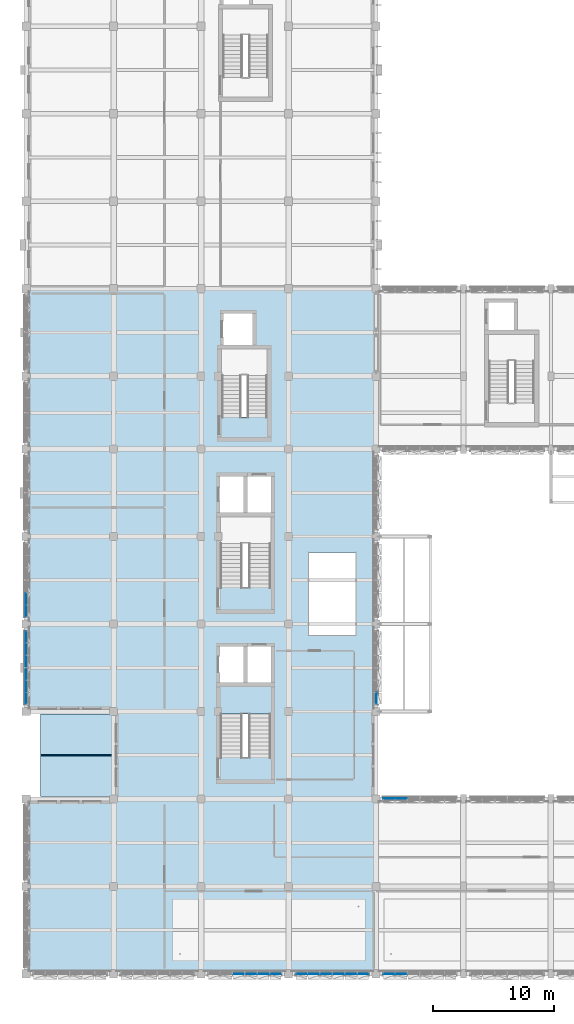
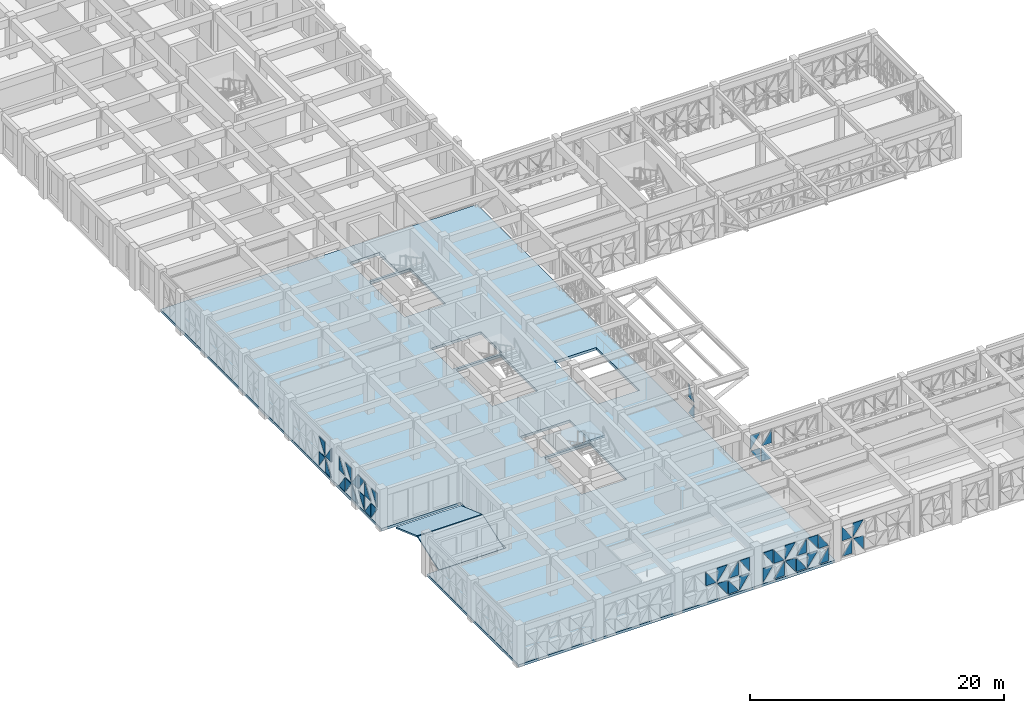
# One storey, part 29 of 88: 45 plates, 4 slabs, 8 elements without a shape of their own.
"""IFC4 building model written with IfcOpenShell, lengths in metres."""

from ifc_helpers import new_model, si_unit, direction, frame, origin, place, context, subcontext, project, spatial, polyline, outline, extrude, material, layer, layer_set, type_object, element, aggregate, save


model = new_model("IFC4")

# Units and contexts
model_context = context("Model", 3, precision=1e-05, world=origin(), true_north=direction((0.0, 1.0)))
body_context = subcontext(model_context, "Body", "Model", "MODEL_VIEW")
ifc_project = project(units=[si_unit("LENGTHUNIT", "METRE"), si_unit("AREAUNIT", "SQUARE_METRE"), si_unit("VOLUMEUNIT", "CUBIC_METRE"), si_unit("PLANEANGLEUNIT", "RADIAN"), si_unit("MASSUNIT", "GRAM", prefix="KILO")], contexts=[model_context])

# Site, building, storey
site_placement = place(None, origin())
site = spatial("IfcSite", under=ifc_project, at=site_placement, CompositionType="ELEMENT")
building_placement = place(site_placement, origin())
building = spatial("IfcBuilding", under=site, at=building_placement, Name="Alvorim Cloister Faculty of Sciences", CompositionType="ELEMENT")
storey_placement = place(building_placement, frame((0.0, 0.0, 4.5)))
storey = spatial("IfcBuildingStorey", under=building, at=storey_placement, Name="L01", CompositionType="ELEMENT", Elevation=4.5)

# Curtain wall, plates
ifc_material_1 = material(Name="Aluminium and Low-E Glass Curtain Wall", Category="aluminium")
curtain_wall_type = type_object("IfcCurtainWallType", Name="CW-TRI-6120x3170", PredefinedType="USERDEFINED", material=ifc_material_1)
curtain_wall_1_placement = place(storey_placement, origin())
curtain_wall_1 = element("IfcCurtainWall", 1, at=curtain_wall_1_placement, inside=storey, type_object=curtain_wall_type, Name="L01 Diagonal Cassette Curtain Wall CW-0007", ObjectType="UNITISED CURTAIN WALL", PredefinedType="USERDEFINED")
ifc_material_2 = material(Name="Double Low-E Laminated Glass", Category="glass")
ifc_layer_1 = layer(ifc_material_2, 0.0400390625)
ifc_layer_set_1 = layer_set([ifc_layer_1], Name="Double Low-E Laminated Glass")
plate_type = type_object("IfcPlateType", Name="PN-GLZ-40", PredefinedType="CURTAIN_PANEL", material=ifc_layer_set_1)
plate_1_placement = place(storey_placement, frame((-0.02490234375, 22.215087890625, 0.159912109375), z_axis=(0.0, 0.0, 1.0), x_axis=(0.0, 1.0, 0.0)))
plate_1 = element("IfcPlate", 2, at=plate_1_placement, type_object=plate_type, Name="Diagonal Glazed Triangle TRI-TR", PredefinedType="CURTAIN_PANEL", context=body_context, shape_type="SweptSolid", body=[
    extrude(outline(polyline([(0.907470703125, 0.001953125), (0.907470703125, 1.344970703125), (0.001953125, 1.344970703125), (0.907470703125, 0.001953125)])), frame((0.0, 0.02490234375, 0.0), z_axis=(0.0, -1.0, 0.0), x_axis=(1.0, 0.0, 0.0)), (0.0, 0.0, 1.0), 0.050048828125),
])
plate_2_placement = place(storey_placement, frame((-0.02490234375, 22.215087890625, 1.6650390625), z_axis=(0.0, 0.0, 1.0), x_axis=(0.0, 1.0, 0.0)))
plate_2 = element("IfcPlate", 3, at=plate_2_placement, type_object=plate_type, Name="Diagonal Glazed Triangle TRI-TL", PredefinedType="CURTAIN_PANEL", context=body_context, shape_type="SweptSolid", body=[
    extrude(outline(polyline([(0.905517578125, 1.344970703125), (0.0, 1.344970703125), (0.0, 0.001953125), (0.905517578125, 1.344970703125)])), frame((0.0, 0.02490234375, 0.0), z_axis=(0.0, -1.0, 0.0), x_axis=(1.0, 0.0, 0.0)), (0.0, 0.0, 1.0), 0.050048828125),
])
plate_3_placement = place(storey_placement, frame((-0.02490234375, 23.197509765625, 0.159912109375), z_axis=(0.0, 0.0, 1.0), x_axis=(0.0, 1.0, 0.0)))
plate_3 = element("IfcPlate", 4, at=plate_3_placement, type_object=plate_type, Name="Diagonal Glazed Triangle TRI-BL", PredefinedType="CURTAIN_PANEL", context=body_context, shape_type="SweptSolid", body=[
    extrude(outline(polyline([(0.0, 0.0), (0.943115234375, 0.0), (0.0, 1.343017578125), (0.0, 0.0)])), frame((0.0, 0.02490234375, 0.0), z_axis=(0.0, -1.0, 0.0), x_axis=(1.0, 0.0, 0.0)), (0.0, 0.0, 1.0), 0.050048828125),
])
plate_4_placement = place(storey_placement, frame((-0.02490234375, 23.197509765625, 1.6650390625), z_axis=(0.0, 0.0, 1.0), x_axis=(0.0, 1.0, 0.0)))
plate_4 = element("IfcPlate", 5, at=plate_4_placement, type_object=plate_type, Name="Diagonal Glazed Triangle TRI-BR", PredefinedType="CURTAIN_PANEL", context=body_context, shape_type="SweptSolid", body=[
    extrude(outline(polyline([(0.001953125, 0.0), (0.945068359375, 0.0), (0.945068359375, 1.343017578125), (0.001953125, 0.0)])), frame((0.0, 0.02490234375, 0.0), z_axis=(0.0, -1.0, 0.0), x_axis=(1.0, 0.0, 0.0)), (0.0, 0.0, 1.0), 0.050048828125),
])
plate_5_placement = place(storey_placement, frame((-0.02490234375, 24.217529296875, 0.159912109375), z_axis=(0.0, 0.0, 1.0), x_axis=(0.0, 1.0, 0.0)))
plate_5 = element("IfcPlate", 6, at=plate_5_placement, type_object=plate_type, Name="Diagonal Glazed Triangle TRI-TL", PredefinedType="CURTAIN_PANEL", context=body_context, shape_type="SweptSolid", body=[
    extrude(outline(polyline([(0.943115234375, 1.344970703125), (0.0, 1.344970703125), (0.0, 0.001953125), (0.943115234375, 1.344970703125)])), frame((0.0, 0.02490234375, 0.0), z_axis=(0.0, -1.0, 0.0), x_axis=(1.0, 0.0, 0.0)), (0.0, 0.0, 1.0), 0.050048828125),
])
plate_6_placement = place(storey_placement, frame((-0.02490234375, 24.217529296875, 1.6650390625), z_axis=(0.0, 0.0, 1.0), x_axis=(0.0, 1.0, 0.0)))
plate_6 = element("IfcPlate", 7, at=plate_6_placement, type_object=plate_type, Name="Diagonal Glazed Triangle TRI-TR", PredefinedType="CURTAIN_PANEL", context=body_context, shape_type="SweptSolid", body=[
    extrude(outline(polyline([(0.945068359375, 0.001953125), (0.945068359375, 1.344970703125), (0.001953125, 1.344970703125), (0.945068359375, 0.001953125)])), frame((0.0, 0.02490234375, 0.0), z_axis=(0.0, -1.0, 0.0), x_axis=(1.0, 0.0, 0.0)), (0.0, 0.0, 1.0), 0.050048828125),
])
plate_7_placement = place(storey_placement, frame((-0.02490234375, 25.237548828125, 0.159912109375), z_axis=(0.0, 0.0, 1.0), x_axis=(0.0, 1.0, 0.0)))
plate_7 = element("IfcPlate", 8, at=plate_7_placement, type_object=plate_type, Name="Diagonal Glazed Triangle TRI-BR", PredefinedType="CURTAIN_PANEL", context=body_context, shape_type="SweptSolid", body=[
    extrude(outline(polyline([(0.001953125, 0.0), (0.945068359375, 0.0), (0.945068359375, 1.343017578125), (0.001953125, 0.0)])), frame((0.0, 0.02490234375, 0.0), z_axis=(0.0, -1.0, 0.0), x_axis=(1.0, 0.0, 0.0)), (0.0, 0.0, 1.0), 0.050048828125),
])
plate_8_placement = place(storey_placement, frame((-0.02490234375, 25.237548828125, 1.6650390625), z_axis=(0.0, 0.0, 1.0), x_axis=(0.0, 1.0, 0.0)))
plate_8 = element("IfcPlate", 9, at=plate_8_placement, type_object=plate_type, Name="Diagonal Glazed Triangle TRI-BL", PredefinedType="CURTAIN_PANEL", context=body_context, shape_type="SweptSolid", body=[
    extrude(outline(polyline([(0.0, 0.0), (0.943115234375, 0.0), (0.0, 1.343017578125), (0.0, 0.0)])), frame((0.0, 0.02490234375, 0.0), z_axis=(0.0, -1.0, 0.0), x_axis=(1.0, 0.0, 0.0)), (0.0, 0.0, 1.0), 0.050048828125),
])
plate_9_placement = place(storey_placement, frame((-0.02490234375, 26.257568359375, 0.159912109375), z_axis=(0.0, 0.0, 1.0), x_axis=(0.0, 1.0, 0.0)))
plate_9 = element("IfcPlate", 10, at=plate_9_placement, type_object=plate_type, Name="Diagonal Glazed Triangle TRI-TR", PredefinedType="CURTAIN_PANEL", context=body_context, shape_type="SweptSolid", body=[
    extrude(outline(polyline([(0.945068359375, 0.001953125), (0.945068359375, 1.344970703125), (0.001953125, 1.344970703125), (0.945068359375, 0.001953125)])), frame((0.0, 0.02490234375, 0.0), z_axis=(0.0, -1.0, 0.0), x_axis=(1.0, 0.0, 0.0)), (0.0, 0.0, 1.0), 0.050048828125),
])
plate_10_placement = place(storey_placement, frame((-0.02490234375, 26.257568359375, 1.6650390625), z_axis=(0.0, 0.0, 1.0), x_axis=(0.0, 1.0, 0.0)))
plate_10 = element("IfcPlate", 11, at=plate_10_placement, type_object=plate_type, Name="Diagonal Glazed Triangle TRI-TL", PredefinedType="CURTAIN_PANEL", context=body_context, shape_type="SweptSolid", body=[
    extrude(outline(polyline([(0.943115234375, 1.344970703125), (0.0, 1.344970703125), (0.0, 0.001953125), (0.943115234375, 1.344970703125)])), frame((0.0, 0.02490234375, 0.0), z_axis=(0.0, -1.0, 0.0), x_axis=(1.0, 0.0, 0.0)), (0.0, 0.0, 1.0), 0.050048828125),
])
plate_11_placement = place(storey_placement, frame((-0.02490234375, 27.277587890625, 0.159912109375), z_axis=(0.0, 0.0, 1.0), x_axis=(0.0, 1.0, 0.0)))
plate_11 = element("IfcPlate", 12, at=plate_11_placement, type_object=plate_type, Name="Diagonal Glazed Triangle TRI-BL", PredefinedType="CURTAIN_PANEL", context=body_context, shape_type="SweptSolid", body=[
    extrude(outline(polyline([(0.0, 0.0), (0.905517578125, 0.0), (0.0, 1.343017578125), (0.0, 0.0)])), frame((0.0, 0.02490234375, 0.0), z_axis=(0.0, -1.0, 0.0), x_axis=(1.0, 0.0, 0.0)), (0.0, 0.0, 1.0), 0.050048828125),
])
plate_12_placement = place(storey_placement, frame((-0.02490234375, 27.277587890625, 1.6650390625), z_axis=(0.0, 0.0, 1.0), x_axis=(0.0, 1.0, 0.0)))
plate_12 = element("IfcPlate", 13, at=plate_12_placement, type_object=plate_type, Name="Diagonal Glazed Triangle TRI-BR", PredefinedType="CURTAIN_PANEL", context=body_context, shape_type="SweptSolid", body=[
    extrude(outline(polyline([(0.001953125, 0.0), (0.907470703125, 0.0), (0.907470703125, 1.343017578125), (0.001953125, 0.0)])), frame((0.0, 0.02490234375, 0.0), z_axis=(0.0, -1.0, 0.0), x_axis=(1.0, 0.0, 0.0)), (0.0, 0.0, 1.0), 0.050048828125),
])
aggregate(curtain_wall_1, [plate_1, plate_2, plate_3, plate_4, plate_5, plate_6, plate_7, plate_8, plate_9, plate_10, plate_11, plate_12])

curtain_wall_2_placement = place(storey_placement, origin())
curtain_wall_2 = element("IfcCurtainWall", 14, at=curtain_wall_2_placement, inside=storey, type_object=curtain_wall_type, Name="L01 Diagonal Cassette Curtain Wall CW-0008", ObjectType="UNITISED CURTAIN WALL", PredefinedType="USERDEFINED")
plate_13_placement = place(storey_placement, frame((-0.02490234375, 29.4150390625, 0.159912109375), z_axis=(0.0, 0.0, 1.0), x_axis=(0.0, 1.0, 0.0)))
plate_13 = element("IfcPlate", 15, at=plate_13_placement, type_object=plate_type, Name="Diagonal Glazed Triangle TRI-BR", PredefinedType="CURTAIN_PANEL", context=body_context, shape_type="SweptSolid", body=[
    extrude(outline(polyline([(0.001953125, 0.0), (0.907470703125, 0.0), (0.907470703125, 1.343017578125), (0.001953125, 0.0)])), frame((0.0, 0.02490234375, 0.0), z_axis=(0.0, -1.0, 0.0), x_axis=(1.0, 0.0, 0.0)), (0.0, 0.0, 1.0), 0.050048828125),
])
plate_14_placement = place(storey_placement, frame((-0.02490234375, 29.4150390625, 1.6650390625), z_axis=(0.0, 0.0, 1.0), x_axis=(0.0, 1.0, 0.0)))
plate_14 = element("IfcPlate", 16, at=plate_14_placement, type_object=plate_type, Name="Diagonal Glazed Triangle TRI-BL", PredefinedType="CURTAIN_PANEL", context=body_context, shape_type="SweptSolid", body=[
    extrude(outline(polyline([(0.0, 0.0), (0.905517578125, 0.0), (0.0, 1.343017578125), (0.0, 0.0)])), frame((0.0, 0.02490234375, 0.0), z_axis=(0.0, -1.0, 0.0), x_axis=(1.0, 0.0, 0.0)), (0.0, 0.0, 1.0), 0.050048828125),
])
plate_15_placement = place(storey_placement, frame((-0.02490234375, 30.3974609375, 0.159912109375), z_axis=(0.0, 0.0, 1.0), x_axis=(0.0, 1.0, 0.0)))
plate_15 = element("IfcPlate", 17, at=plate_15_placement, type_object=plate_type, Name="Diagonal Glazed Triangle TRI-TR", PredefinedType="CURTAIN_PANEL", context=body_context, shape_type="SweptSolid", body=[
    extrude(outline(polyline([(0.945068359375, 0.001953125), (0.945068359375, 1.344970703125), (0.001953125, 1.344970703125), (0.945068359375, 0.001953125)])), frame((0.0, 0.02490234375, 0.0), z_axis=(0.0, -1.0, 0.0), x_axis=(1.0, 0.0, 0.0)), (0.0, 0.0, 1.0), 0.050048828125),
])
plate_16_placement = place(storey_placement, frame((-0.02490234375, 30.3974609375, 1.6650390625), z_axis=(0.0, 0.0, 1.0), x_axis=(0.0, 1.0, 0.0)))
plate_16 = element("IfcPlate", 18, at=plate_16_placement, type_object=plate_type, Name="Diagonal Glazed Triangle TRI-TL", PredefinedType="CURTAIN_PANEL", context=body_context, shape_type="SweptSolid", body=[
    extrude(outline(polyline([(0.943115234375, 1.344970703125), (0.0, 1.344970703125), (0.0, 0.001953125), (0.943115234375, 1.344970703125)])), frame((0.0, 0.02490234375, 0.0), z_axis=(0.0, -1.0, 0.0), x_axis=(1.0, 0.0, 0.0)), (0.0, 0.0, 1.0), 0.050048828125),
])
aggregate(curtain_wall_2, [plate_13, plate_14, plate_15, plate_16])

curtain_wall_3_placement = place(storey_placement, origin())
curtain_wall_3 = element("IfcCurtainWall", 19, at=curtain_wall_3_placement, inside=storey, type_object=curtain_wall_type, Name="L01 Diagonal Cassette Curtain Wall CW-0026", ObjectType="UNITISED CURTAIN WALL", PredefinedType="USERDEFINED")
plate_17_placement = place(storey_placement, frame((28.824951171875, 22.215087890625, 0.159912109375), z_axis=(0.0, 0.0, 1.0), x_axis=(0.0, 1.0, 0.0)))
plate_17 = element("IfcPlate", 20, at=plate_17_placement, type_object=plate_type, Name="Diagonal Glazed Triangle TRI-BL", PredefinedType="CURTAIN_PANEL", context=body_context, shape_type="SweptSolid", body=[
    extrude(outline(polyline([(0.0, 0.0), (0.905517578125, 0.0), (0.0, 1.343017578125), (0.0, 0.0)])), frame((0.0, 0.02490234375, 0.0), z_axis=(0.0, -1.0, 0.0), x_axis=(1.0, 0.0, 0.0)), (0.0, 0.0, 1.0), 0.050048828125),
])
plate_18_placement = place(storey_placement, frame((28.824951171875, 22.215087890625, 1.6650390625), z_axis=(0.0, 0.0, 1.0), x_axis=(0.0, 1.0, 0.0)))
plate_18 = element("IfcPlate", 21, at=plate_18_placement, type_object=plate_type, Name="Diagonal Glazed Triangle TRI-BR", PredefinedType="CURTAIN_PANEL", context=body_context, shape_type="SweptSolid", body=[
    extrude(outline(polyline([(0.001953125, 0.0), (0.907470703125, 0.0), (0.907470703125, 1.343017578125), (0.001953125, 0.0)])), frame((0.0, 0.02490234375, 0.0), z_axis=(0.0, -1.0, 0.0), x_axis=(1.0, 0.0, 0.0)), (0.0, 0.0, 1.0), 0.050048828125),
])
aggregate(curtain_wall_3, [plate_17, plate_18])

curtain_wall_4_placement = place(storey_placement, origin())
curtain_wall_4 = element("IfcCurtainWall", 22, at=curtain_wall_4_placement, inside=storey, type_object=curtain_wall_type, Name="L01 Diagonal Cassette Curtain Wall CW-0027", ObjectType="UNITISED CURTAIN WALL", PredefinedType="USERDEFINED")
plate_19_placement = place(storey_placement, frame((29.4150390625, 14.425048828125, 0.159912109375), z_axis=(0.0, 0.0, 1.0), x_axis=(1.0, 0.0, 0.0)))
plate_19 = element("IfcPlate", 23, at=plate_19_placement, type_object=plate_type, Name="Diagonal Glazed Triangle TRI-TR", PredefinedType="CURTAIN_PANEL", context=body_context, shape_type="SweptSolid", body=[
    extrude(outline(polyline([(0.907470703125, 0.001953125), (0.907470703125, 1.344970703125), (0.001953125, 1.344970703125), (0.907470703125, 0.001953125)])), frame((0.0, 0.02490234375, 0.0), z_axis=(0.0, -1.0, 0.0), x_axis=(1.0, 0.0, 0.0)), (0.0, 0.0, 1.0), 0.050048828125),
])
plate_20_placement = place(storey_placement, frame((29.4150390625, 14.425048828125, 1.6650390625), z_axis=(0.0, 0.0, 1.0), x_axis=(1.0, 0.0, 0.0)))
plate_20 = element("IfcPlate", 24, at=plate_20_placement, type_object=plate_type, Name="Diagonal Glazed Triangle TRI-TL", PredefinedType="CURTAIN_PANEL", context=body_context, shape_type="SweptSolid", body=[
    extrude(outline(polyline([(0.905517578125, 1.344970703125), (0.0, 1.344970703125), (0.0, 0.001953125), (0.905517578125, 1.344970703125)])), frame((0.0, 0.02490234375, 0.0), z_axis=(0.0, -1.0, 0.0), x_axis=(1.0, 0.0, 0.0)), (0.0, 0.0, 1.0), 0.050048828125),
])
plate_21_placement = place(storey_placement, frame((30.3974609375, 14.425048828125, 0.159912109375), z_axis=(0.0, 0.0, 1.0), x_axis=(1.0, 0.0, 0.0)))
plate_21 = element("IfcPlate", 25, at=plate_21_placement, type_object=plate_type, Name="Diagonal Glazed Triangle TRI-BL", PredefinedType="CURTAIN_PANEL", context=body_context, shape_type="SweptSolid", body=[
    extrude(outline(polyline([(0.0, 0.0), (0.943115234375, 0.0), (0.0, 1.343017578125), (0.0, 0.0)])), frame((0.0, 0.02490234375, 0.0), z_axis=(0.0, -1.0, 0.0), x_axis=(1.0, 0.0, 0.0)), (0.0, 0.0, 1.0), 0.050048828125),
])
plate_22_placement = place(storey_placement, frame((30.3974609375, 14.425048828125, 1.6650390625), z_axis=(0.0, 0.0, 1.0), x_axis=(1.0, 0.0, 0.0)))
plate_22 = element("IfcPlate", 26, at=plate_22_placement, type_object=plate_type, Name="Diagonal Glazed Triangle TRI-BR", PredefinedType="CURTAIN_PANEL", context=body_context, shape_type="SweptSolid", body=[
    extrude(outline(polyline([(0.001953125, 0.0), (0.945068359375, 0.0), (0.945068359375, 1.343017578125), (0.001953125, 0.0)])), frame((0.0, 0.02490234375, 0.0), z_axis=(0.0, -1.0, 0.0), x_axis=(1.0, 0.0, 0.0)), (0.0, 0.0, 1.0), 0.050048828125),
])
aggregate(curtain_wall_4, [plate_19, plate_20, plate_21, plate_22])

curtain_wall_5_placement = place(storey_placement, origin())
curtain_wall_5 = element("IfcCurtainWall", 27, at=curtain_wall_5_placement, inside=storey, type_object=curtain_wall_type, Name="L01 Diagonal Cassette Curtain Wall CW-0044", ObjectType="UNITISED CURTAIN WALL", PredefinedType="USERDEFINED")
plate_23_placement = place(storey_placement, frame((29.4150390625, -0.02490234375, 0.159912109375), z_axis=(0.0, 0.0, 1.0), x_axis=(1.0, 0.0, 0.0)))
plate_23 = element("IfcPlate", 28, at=plate_23_placement, type_object=plate_type, Name="Diagonal Glazed Triangle TRI-BR", PredefinedType="CURTAIN_PANEL", context=body_context, shape_type="SweptSolid", body=[
    extrude(outline(polyline([(0.001953125, 0.0), (0.907470703125, 0.0), (0.907470703125, 1.343017578125), (0.001953125, 0.0)])), frame((0.0, 0.02490234375, 0.0), z_axis=(0.0, -1.0, 0.0), x_axis=(1.0, 0.0, 0.0)), (0.0, 0.0, 1.0), 0.050048828125),
])
plate_24_placement = place(storey_placement, frame((29.4150390625, -0.02490234375, 1.6650390625), z_axis=(0.0, 0.0, 1.0), x_axis=(1.0, 0.0, 0.0)))
plate_24 = element("IfcPlate", 29, at=plate_24_placement, type_object=plate_type, Name="Diagonal Glazed Triangle TRI-BL", PredefinedType="CURTAIN_PANEL", context=body_context, shape_type="SweptSolid", body=[
    extrude(outline(polyline([(0.0, 0.0), (0.905517578125, 0.0), (0.0, 1.343017578125), (0.0, 0.0)])), frame((0.0, 0.02490234375, 0.0), z_axis=(0.0, -1.0, 0.0), x_axis=(1.0, 0.0, 0.0)), (0.0, 0.0, 1.0), 0.050048828125),
])
plate_25_placement = place(storey_placement, frame((30.3974609375, -0.02490234375, 0.159912109375), z_axis=(0.0, 0.0, 1.0), x_axis=(1.0, 0.0, 0.0)))
plate_25 = element("IfcPlate", 30, at=plate_25_placement, type_object=plate_type, Name="Diagonal Glazed Triangle TRI-TR", PredefinedType="CURTAIN_PANEL", context=body_context, shape_type="SweptSolid", body=[
    extrude(outline(polyline([(0.945068359375, 0.001953125), (0.945068359375, 1.344970703125), (0.001953125, 1.344970703125), (0.945068359375, 0.001953125)])), frame((0.0, 0.02490234375, 0.0), z_axis=(0.0, -1.0, 0.0), x_axis=(1.0, 0.0, 0.0)), (0.0, 0.0, 1.0), 0.050048828125),
])
plate_26_placement = place(storey_placement, frame((30.3974609375, -0.02490234375, 1.6650390625), z_axis=(0.0, 0.0, 1.0), x_axis=(1.0, 0.0, 0.0)))
plate_26 = element("IfcPlate", 31, at=plate_26_placement, type_object=plate_type, Name="Diagonal Glazed Triangle TRI-TL", PredefinedType="CURTAIN_PANEL", context=body_context, shape_type="SweptSolid", body=[
    extrude(outline(polyline([(0.943115234375, 1.344970703125), (0.0, 1.344970703125), (0.0, 0.001953125), (0.943115234375, 1.344970703125)])), frame((0.0, 0.02490234375, 0.0), z_axis=(0.0, -1.0, 0.0), x_axis=(1.0, 0.0, 0.0)), (0.0, 0.0, 1.0), 0.050048828125),
])
aggregate(curtain_wall_5, [plate_23, plate_24, plate_25, plate_26])

curtain_wall_6_placement = place(storey_placement, origin())
curtain_wall_6 = element("IfcCurtainWall", 32, at=curtain_wall_6_placement, inside=storey, type_object=curtain_wall_type, Name="L01 Diagonal Cassette Curtain Wall CW-0045", ObjectType="UNITISED CURTAIN WALL", PredefinedType="USERDEFINED")
plate_27_placement = place(storey_placement, frame((22.215087890625, -0.02490234375, 0.159912109375), z_axis=(0.0, 0.0, 1.0), x_axis=(1.0, 0.0, 0.0)))
plate_27 = element("IfcPlate", 33, at=plate_27_placement, type_object=plate_type, Name="Diagonal Glazed Triangle TRI-TL", PredefinedType="CURTAIN_PANEL", context=body_context, shape_type="SweptSolid", body=[
    extrude(outline(polyline([(0.905517578125, 1.344970703125), (0.0, 1.344970703125), (0.0, 0.001953125), (0.905517578125, 1.344970703125)])), frame((0.0, 0.02490234375, 0.0), z_axis=(0.0, -1.0, 0.0), x_axis=(1.0, 0.0, 0.0)), (0.0, 0.0, 1.0), 0.050048828125),
])
plate_28_placement = place(storey_placement, frame((22.215087890625, -0.02490234375, 1.6650390625), z_axis=(0.0, 0.0, 1.0), x_axis=(1.0, 0.0, 0.0)))
plate_28 = element("IfcPlate", 34, at=plate_28_placement, type_object=plate_type, Name="Diagonal Glazed Triangle TRI-TR", PredefinedType="CURTAIN_PANEL", context=body_context, shape_type="SweptSolid", body=[
    extrude(outline(polyline([(0.907470703125, 0.001953125), (0.907470703125, 1.344970703125), (0.001953125, 1.344970703125), (0.907470703125, 0.001953125)])), frame((0.0, 0.02490234375, 0.0), z_axis=(0.0, -1.0, 0.0), x_axis=(1.0, 0.0, 0.0)), (0.0, 0.0, 1.0), 0.050048828125),
])
plate_29_placement = place(storey_placement, frame((23.197509765625, -0.02490234375, 0.159912109375), z_axis=(0.0, 0.0, 1.0), x_axis=(1.0, 0.0, 0.0)))
plate_29 = element("IfcPlate", 35, at=plate_29_placement, type_object=plate_type, Name="Diagonal Glazed Triangle TRI-BR", PredefinedType="CURTAIN_PANEL", context=body_context, shape_type="SweptSolid", body=[
    extrude(outline(polyline([(0.001953125, 0.0), (0.945068359375, 0.0), (0.945068359375, 1.343017578125), (0.001953125, 0.0)])), frame((0.0, 0.02490234375, 0.0), z_axis=(0.0, -1.0, 0.0), x_axis=(1.0, 0.0, 0.0)), (0.0, 0.0, 1.0), 0.050048828125),
])
plate_30_placement = place(storey_placement, frame((23.197509765625, -0.02490234375, 1.6650390625), z_axis=(0.0, 0.0, 1.0), x_axis=(1.0, 0.0, 0.0)))
plate_30 = element("IfcPlate", 36, at=plate_30_placement, type_object=plate_type, Name="Diagonal Glazed Triangle TRI-BL", PredefinedType="CURTAIN_PANEL", context=body_context, shape_type="SweptSolid", body=[
    extrude(outline(polyline([(0.0, 0.0), (0.943115234375, 0.0), (0.0, 1.343017578125), (0.0, 0.0)])), frame((0.0, 0.02490234375, 0.0), z_axis=(0.0, -1.0, 0.0), x_axis=(1.0, 0.0, 0.0)), (0.0, 0.0, 1.0), 0.050048828125),
])
plate_31_placement = place(storey_placement, frame((24.217529296875, -0.02490234375, 0.159912109375), z_axis=(0.0, 0.0, 1.0), x_axis=(1.0, 0.0, 0.0)))
plate_31 = element("IfcPlate", 37, at=plate_31_placement, type_object=plate_type, Name="Diagonal Glazed Triangle TRI-TR", PredefinedType="CURTAIN_PANEL", context=body_context, shape_type="SweptSolid", body=[
    extrude(outline(polyline([(0.945068359375, 0.001953125), (0.945068359375, 1.344970703125), (0.001953125, 1.344970703125), (0.945068359375, 0.001953125)])), frame((0.0, 0.02490234375, 0.0), z_axis=(0.0, -1.0, 0.0), x_axis=(1.0, 0.0, 0.0)), (0.0, 0.0, 1.0), 0.050048828125),
])
plate_32_placement = place(storey_placement, frame((24.217529296875, -0.02490234375, 1.6650390625), z_axis=(0.0, 0.0, 1.0), x_axis=(1.0, 0.0, 0.0)))
plate_32 = element("IfcPlate", 38, at=plate_32_placement, type_object=plate_type, Name="Diagonal Glazed Triangle TRI-TL", PredefinedType="CURTAIN_PANEL", context=body_context, shape_type="SweptSolid", body=[
    extrude(outline(polyline([(0.943115234375, 1.344970703125), (0.0, 1.344970703125), (0.0, 0.001953125), (0.943115234375, 1.344970703125)])), frame((0.0, 0.02490234375, 0.0), z_axis=(0.0, -1.0, 0.0), x_axis=(1.0, 0.0, 0.0)), (0.0, 0.0, 1.0), 0.050048828125),
])
plate_33_placement = place(storey_placement, frame((25.237548828125, -0.02490234375, 0.159912109375), z_axis=(0.0, 0.0, 1.0), x_axis=(1.0, 0.0, 0.0)))
plate_33 = element("IfcPlate", 39, at=plate_33_placement, type_object=plate_type, Name="Diagonal Glazed Triangle TRI-BL", PredefinedType="CURTAIN_PANEL", context=body_context, shape_type="SweptSolid", body=[
    extrude(outline(polyline([(0.0, 0.0), (0.943115234375, 0.0), (0.0, 1.343017578125), (0.0, 0.0)])), frame((0.0, 0.02490234375, 0.0), z_axis=(0.0, -1.0, 0.0), x_axis=(1.0, 0.0, 0.0)), (0.0, 0.0, 1.0), 0.050048828125),
])
plate_34_placement = place(storey_placement, frame((25.237548828125, -0.02490234375, 1.6650390625), z_axis=(0.0, 0.0, 1.0), x_axis=(1.0, 0.0, 0.0)))
plate_34 = element("IfcPlate", 40, at=plate_34_placement, type_object=plate_type, Name="Diagonal Glazed Triangle TRI-BR", PredefinedType="CURTAIN_PANEL", context=body_context, shape_type="SweptSolid", body=[
    extrude(outline(polyline([(0.001953125, 0.0), (0.945068359375, 0.0), (0.945068359375, 1.343017578125), (0.001953125, 0.0)])), frame((0.0, 0.02490234375, 0.0), z_axis=(0.0, -1.0, 0.0), x_axis=(1.0, 0.0, 0.0)), (0.0, 0.0, 1.0), 0.050048828125),
])
plate_35_placement = place(storey_placement, frame((26.257568359375, -0.02490234375, 0.159912109375), z_axis=(0.0, 0.0, 1.0), x_axis=(1.0, 0.0, 0.0)))
plate_35 = element("IfcPlate", 41, at=plate_35_placement, type_object=plate_type, Name="Diagonal Glazed Triangle TRI-TL", PredefinedType="CURTAIN_PANEL", context=body_context, shape_type="SweptSolid", body=[
    extrude(outline(polyline([(0.943115234375, 1.344970703125), (0.0, 1.344970703125), (0.0, 0.001953125), (0.943115234375, 1.344970703125)])), frame((0.0, 0.02490234375, 0.0), z_axis=(0.0, -1.0, 0.0), x_axis=(1.0, 0.0, 0.0)), (0.0, 0.0, 1.0), 0.050048828125),
])
plate_36_placement = place(storey_placement, frame((26.257568359375, -0.02490234375, 1.6650390625), z_axis=(0.0, 0.0, 1.0), x_axis=(1.0, 0.0, 0.0)))
plate_36 = element("IfcPlate", 42, at=plate_36_placement, type_object=plate_type, Name="Diagonal Glazed Triangle TRI-TR", PredefinedType="CURTAIN_PANEL", context=body_context, shape_type="SweptSolid", body=[
    extrude(outline(polyline([(0.945068359375, 0.001953125), (0.945068359375, 1.344970703125), (0.001953125, 1.344970703125), (0.945068359375, 0.001953125)])), frame((0.0, 0.02490234375, 0.0), z_axis=(0.0, -1.0, 0.0), x_axis=(1.0, 0.0, 0.0)), (0.0, 0.0, 1.0), 0.050048828125),
])
plate_37_placement = place(storey_placement, frame((27.277587890625, -0.02490234375, 0.159912109375), z_axis=(0.0, 0.0, 1.0), x_axis=(1.0, 0.0, 0.0)))
plate_37 = element("IfcPlate", 43, at=plate_37_placement, type_object=plate_type, Name="Diagonal Glazed Triangle TRI-BR", PredefinedType="CURTAIN_PANEL", context=body_context, shape_type="SweptSolid", body=[
    extrude(outline(polyline([(0.001953125, 0.0), (0.907470703125, 0.0), (0.907470703125, 1.343017578125), (0.001953125, 0.0)])), frame((0.0, 0.02490234375, 0.0), z_axis=(0.0, -1.0, 0.0), x_axis=(1.0, 0.0, 0.0)), (0.0, 0.0, 1.0), 0.050048828125),
])
plate_38_placement = place(storey_placement, frame((27.277587890625, -0.02490234375, 1.6650390625), z_axis=(0.0, 0.0, 1.0), x_axis=(1.0, 0.0, 0.0)))
plate_38 = element("IfcPlate", 44, at=plate_38_placement, type_object=plate_type, Name="Diagonal Glazed Triangle TRI-BL", PredefinedType="CURTAIN_PANEL", context=body_context, shape_type="SweptSolid", body=[
    extrude(outline(polyline([(0.0, 0.0), (0.905517578125, 0.0), (0.0, 1.343017578125), (0.0, 0.0)])), frame((0.0, 0.02490234375, 0.0), z_axis=(0.0, -1.0, 0.0), x_axis=(1.0, 0.0, 0.0)), (0.0, 0.0, 1.0), 0.050048828125),
])
aggregate(curtain_wall_6, [plate_27, plate_28, plate_29, plate_30, plate_31, plate_32, plate_33, plate_34, plate_35, plate_36, plate_37, plate_38])

curtain_wall_7_placement = place(storey_placement, origin())
curtain_wall_7 = element("IfcCurtainWall", 45, at=curtain_wall_7_placement, inside=storey, type_object=curtain_wall_type, Name="L01 Diagonal Cassette Curtain Wall CW-0046", ObjectType="UNITISED CURTAIN WALL", PredefinedType="USERDEFINED")
plate_39_placement = place(storey_placement, frame((17.017578125, -0.02490234375, 1.6650390625), z_axis=(0.0, 0.0, 1.0), x_axis=(1.0, 0.0, 0.0)))
plate_39 = element("IfcPlate", 46, at=plate_39_placement, type_object=plate_type, Name="Diagonal Glazed Triangle TRI-BL", PredefinedType="CURTAIN_PANEL", context=body_context, shape_type="SweptSolid", body=[
    extrude(outline(polyline([(0.0, 0.0), (0.943115234375, 0.0), (0.0, 1.343017578125), (0.0, 0.0)])), frame((0.0, 0.02490234375, 0.0), z_axis=(0.0, -1.0, 0.0), x_axis=(1.0, 0.0, 0.0)), (0.0, 0.0, 1.0), 0.050048828125),
])
plate_40_placement = place(storey_placement, frame((18.03759765625, -0.02490234375, 0.159912109375), z_axis=(0.0, 0.0, 1.0), x_axis=(1.0, 0.0, 0.0)))
plate_40 = element("IfcPlate", 47, at=plate_40_placement, type_object=plate_type, Name="Diagonal Glazed Triangle TRI-TR", PredefinedType="CURTAIN_PANEL", context=body_context, shape_type="SweptSolid", body=[
    extrude(outline(polyline([(0.945068359375, 0.001953125), (0.945068359375, 1.344970703125), (0.001953125, 1.344970703125), (0.945068359375, 0.001953125)])), frame((0.0, 0.02490234375, 0.0), z_axis=(0.0, -1.0, 0.0), x_axis=(1.0, 0.0, 0.0)), (0.0, 0.0, 1.0), 0.050048828125),
])
plate_41_placement = place(storey_placement, frame((18.03759765625, -0.02490234375, 1.6650390625), z_axis=(0.0, 0.0, 1.0), x_axis=(1.0, 0.0, 0.0)))
plate_41 = element("IfcPlate", 48, at=plate_41_placement, type_object=plate_type, Name="Diagonal Glazed Triangle TRI-TL", PredefinedType="CURTAIN_PANEL", context=body_context, shape_type="SweptSolid", body=[
    extrude(outline(polyline([(0.943115234375, 1.344970703125), (0.0, 1.344970703125), (0.0, 0.001953125), (0.943115234375, 1.344970703125)])), frame((0.0, 0.02490234375, 0.0), z_axis=(0.0, -1.0, 0.0), x_axis=(1.0, 0.0, 0.0)), (0.0, 0.0, 1.0), 0.050048828125),
])
plate_42_placement = place(storey_placement, frame((19.0576171875, -0.02490234375, 0.159912109375), z_axis=(0.0, 0.0, 1.0), x_axis=(1.0, 0.0, 0.0)))
plate_42 = element("IfcPlate", 49, at=plate_42_placement, type_object=plate_type, Name="Diagonal Glazed Triangle TRI-BL", PredefinedType="CURTAIN_PANEL", context=body_context, shape_type="SweptSolid", body=[
    extrude(outline(polyline([(0.0, 0.0), (0.943115234375, 0.0), (0.0, 1.343017578125), (0.0, 0.0)])), frame((0.0, 0.02490234375, 0.0), z_axis=(0.0, -1.0, 0.0), x_axis=(1.0, 0.0, 0.0)), (0.0, 0.0, 1.0), 0.050048828125),
])
plate_43_placement = place(storey_placement, frame((19.0576171875, -0.02490234375, 1.6650390625), z_axis=(0.0, 0.0, 1.0), x_axis=(1.0, 0.0, 0.0)))
plate_43 = element("IfcPlate", 50, at=plate_43_placement, type_object=plate_type, Name="Diagonal Glazed Triangle TRI-BR", PredefinedType="CURTAIN_PANEL", context=body_context, shape_type="SweptSolid", body=[
    extrude(outline(polyline([(0.001953125, 0.0), (0.945068359375, 0.0), (0.945068359375, 1.343017578125), (0.001953125, 0.0)])), frame((0.0, 0.02490234375, 0.0), z_axis=(0.0, -1.0, 0.0), x_axis=(1.0, 0.0, 0.0)), (0.0, 0.0, 1.0), 0.050048828125),
])
plate_44_placement = place(storey_placement, frame((20.077392578125, -0.02490234375, 0.159912109375), z_axis=(0.0, 0.0, 1.0), x_axis=(1.0, 0.0, 0.0)))
plate_44 = element("IfcPlate", 51, at=plate_44_placement, type_object=plate_type, Name="Diagonal Glazed Triangle TRI-TL", PredefinedType="CURTAIN_PANEL", context=body_context, shape_type="SweptSolid", body=[
    extrude(outline(polyline([(0.905517578125, 1.344970703125), (0.0, 1.344970703125), (0.0, 0.001953125), (0.905517578125, 1.344970703125)])), frame((0.0, 0.02490234375, 0.0), z_axis=(0.0, -1.0, 0.0), x_axis=(1.0, 0.0, 0.0)), (0.0, 0.0, 1.0), 0.050048828125),
])
plate_45_placement = place(storey_placement, frame((20.077392578125, -0.02490234375, 1.6650390625), z_axis=(0.0, 0.0, 1.0), x_axis=(1.0, 0.0, 0.0)))
plate_45 = element("IfcPlate", 52, at=plate_45_placement, type_object=plate_type, Name="Diagonal Glazed Triangle TRI-TR", PredefinedType="CURTAIN_PANEL", context=body_context, shape_type="SweptSolid", body=[
    extrude(outline(polyline([(0.907470703125, 0.001953125), (0.907470703125, 1.344970703125), (0.001953125, 1.344970703125), (0.907470703125, 0.001953125)])), frame((0.0, 0.02490234375, 0.0), z_axis=(0.0, -1.0, 0.0), x_axis=(1.0, 0.0, 0.0)), (0.0, 0.0, 1.0), 0.050048828125),
])
aggregate(curtain_wall_7, [plate_39, plate_40, plate_41, plate_42, plate_43, plate_44, plate_45])

# Slabs
ifc_material_3 = material(Name="Precast Concrete C40", Category="concrete")
ifc_layer_2 = layer(ifc_material_3, 0.139892578125)
ifc_layer_set_2 = layer_set([ifc_layer_2], Name="Precast Concrete C40")
slab_type_1 = type_object("IfcSlabType", Name="SL-CANOPY-140", PredefinedType="ROOF", material=ifc_layer_set_2)
for number, where, z_axis, x_axis, name in (
    (53, (1.199951171875, 14.60009765625, -0.14990234375), (0.0, -0.337053093805, 0.941485640866), (1.0, 0.0, 0.0), "Entrance Atrium Pointed Gothic Canopy South Slope"),
    (54, (1.199951171875, 18.048095703125, 1.050048828125), (0.0, 0.337053093805, 0.941485640866), (1.0, 0.0, 0.0), "Entrance Atrium Pointed Gothic Canopy North Slope"),
):
    element("IfcSlab", number, at=place(storey_placement, frame(where, z_axis=z_axis, x_axis=x_axis)), inside=storey, type_object=slab_type_1, Name=name, PredefinedType="ROOF", context=body_context, shape_type="SweptSolid", body=[
        extrude(outline(polyline([(0.0, 0.0), (5.920166015625, 0.0), (5.920166015625, 3.5601250780024616), (0.0, 3.5601250780024616), (0.0, 0.0)])), origin(), (0.0, 0.0, -1.0), 0.139892578125),
    ])

# Stair, slab
ifc_material_4 = material(Name="Concrete C40", Category="concrete")
stair_type = type_object("IfcStairType", Name="STR-ST-01-1780x4050", PredefinedType="HALF_TURN_STAIR", material=ifc_material_4)
stair_placement = place(storey_placement, origin())
stair = element("IfcStair", 55, at=stair_placement, inside=storey, type_object=stair_type, Name="L01 Enclosed Smoke-Proof Stair ST-01", PredefinedType="HALF_TURN_STAIR")
ifc_layer_3 = layer(ifc_material_4, 0.199951171875)
ifc_layer_set_3 = layer_set([ifc_layer_3], Name="Concrete C40")
slab_type_2 = type_object("IfcSlabType", Name="SL-LAND-200", PredefinedType="LANDING", material=ifc_layer_set_3)
slab_1_placement = place(storey_placement, frame((0.0, 0.0, 1.824951171875)))
slab_1 = element("IfcSlab", 56, at=slab_1_placement, type_object=slab_type_2, Name="ST-01 landing 1", PredefinedType="LANDING", context=body_context, shape_type="SweptSolid", body=[
    extrude(outline(polyline([(20.239990234375, 21.409912109375), (20.239990234375, 23.719970703125), (15.8798828125, 23.719970703125), (15.8798828125, 21.409912109375), (20.239990234375, 21.409912109375)])), origin(), (0.0, 0.0, 1.0), 0.199951171875),
])
aggregate(stair, [slab_1])

# Slab
ifc_layer_4 = layer(ifc_material_4, 0.25)
ifc_layer_set_4 = layer_set([ifc_layer_4], Name="Concrete C40")
slab_type_3 = type_object("IfcSlabType", Name="SL-RC-250", PredefinedType="FLOOR", material=ifc_layer_set_4)
slab_2_placement = place(storey_placement, frame((0.0, 0.0, -0.25)))
element("IfcSlab", 57, at=slab_2_placement, inside=storey, type_object=slab_type_3, Name="L01 V5 Structural Slab 12", PredefinedType="FLOOR", context=body_context, shape_type="SweptSolid", body=[
    extrude(outline(polyline([(0.0048828125, 0.0048828125), (0.0048828125, 14.39501953125), (7.205078125, 14.39501953125), (7.205078125, 21.60498046875), (0.0048828125, 21.60498046875), (0.0048828125, 56.39501953125), (28.794921875, 56.39501953125), (28.794921875, 0.0048828125), (0.0048828125, 0.0048828125)]), holes=[polyline([(20.1201171875, 23.60009765625), (16.0, 23.60009765625), (16.0, 17.81005859375), (20.1201171875, 17.81005859375), (20.1201171875, 23.60009765625)]), polyline([(18.06005859375, 27.10009765625), (15.800048828125, 27.10009765625), (15.800048828125, 23.800048828125), (18.06005859375, 23.800048828125), (20.320068359375, 23.800048828125), (20.320068359375, 27.10009765625), (18.06005859375, 27.10009765625)]), polyline([(20.1201171875, 37.60009765625), (16.0, 37.60009765625), (16.0, 31.81005859375), (20.1201171875, 31.81005859375), (20.1201171875, 37.60009765625)]), polyline([(18.06005859375, 41.10009765625), (15.800048828125, 41.10009765625), (15.800048828125, 37.800048828125), (18.06005859375, 37.800048828125), (20.320068359375, 37.800048828125), (20.320068359375, 41.10009765625), (18.06005859375, 41.10009765625)]), polyline([(19.820068359375, 51.39990234375), (16.10009765625, 51.39990234375), (16.10009765625, 45.830078125), (19.820068359375, 45.830078125), (19.820068359375, 51.39990234375)]), polyline([(18.800048828125, 51.60009765625), (18.800048828125, 54.5), (16.10009765625, 54.5), (16.10009765625, 51.60009765625), (18.800048828125, 51.60009765625)]), polyline([(27.10498046875, 34.68994140625), (23.294921875, 34.68994140625), (23.294921875, 27.89990234375), (27.10498046875, 27.89990234375), (27.10498046875, 34.68994140625)])]), origin(), (0.0, 0.0, 1.0), 0.25),
])

save(model, "model.ifc")
